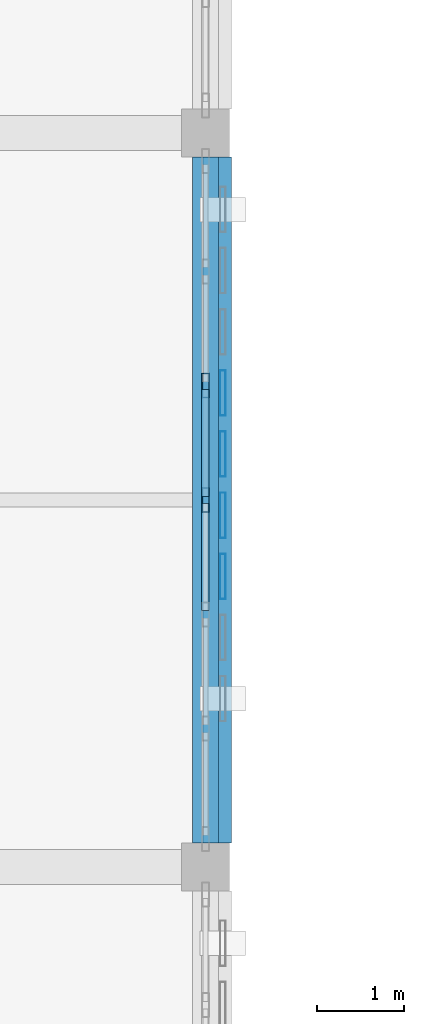
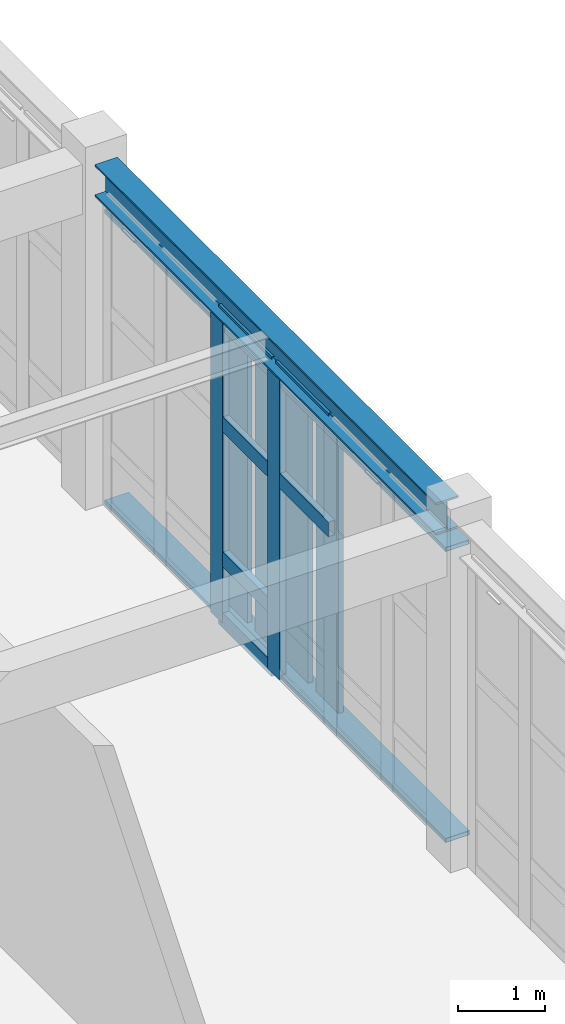
# One storey, part 23 of 93: 14 members, 1 beam, 1 element without a shape of its own.
"""IFC4 building model written with IfcOpenShell, lengths in metres."""

import ifcopenshell
import ifcopenshell.guid

model = None  # the IFC model being written
_history = None  # IfcOwnerHistory: only IFC2X3 demands one
_inside = {}  # id of a spatial element -> (the spatial element, [elements in it])
_under = {}  # id of a project, library or spatial element -> (it, [spatial elements below it])
_declared = {}  # id of a project -> (the project, [libraries it declares])
_typed = {}  # id of a type object -> (the type object, [elements of that type])
_made_of = {}  # id of a material, layer set ... -> (it, [elements and type objects made of it])


def new_model(schema):
    """Start an empty IFC model of exactly this schema.

    Asked for "IFC4X3", IfcOpenShell would pick the latest addendum, in which some entities
    have other attributes; the version numbers below select the first issue.
    IFC2X3 requires an IfcOwnerHistory on every rooted entity: one is made here for all.
    """
    global model, _history
    if schema == "IFC4X3":
        model = ifcopenshell.file(schema_version=(4, 3, 0, 0))
    else:
        model = ifcopenshell.file(schema=schema)
    _inside.clear()
    _under.clear()
    _declared.clear()
    _typed.clear()
    _made_of.clear()
    _history = None
    if model.schema == "IFC2X3":
        org = make("IfcOrganization", Name="unknown")
        user = make(
            "IfcPersonAndOrganization",
            ThePerson=make("IfcPerson", FamilyName="unknown"),
            TheOrganization=org,
        )
        app = make(
            "IfcApplication",
            ApplicationDeveloper=org,
            Version="unknown",
            ApplicationFullName="unknown",
            ApplicationIdentifier="unknown",
        )
        _history = make(
            "IfcOwnerHistory",
            OwningUser=user,
            OwningApplication=app,
            ChangeAction="ADDED",
            CreationDate=0,
        )
    return model


def make(cls, **values):
    """One entity of the class cls with the attributes given. An attribute that is None is left unset."""
    return model.create_entity(
        cls, **{name: value for name, value in values.items() if value is not None}
    )


def rooted(cls, **values):
    """An entity with a GlobalId (a new one), such as an element, a storey or a relation."""
    return make(cls, GlobalId=ifcopenshell.guid.new(), OwnerHistory=_history, **values)


def si_unit(unit_type, name, prefix=None):
    """IfcSIUnit, for example si_unit("LENGTHUNIT", "METRE", prefix="MILLI")."""
    return make("IfcSIUnit", UnitType=unit_type, Prefix=prefix, Name=name)


def assignment(units):
    """IfcUnitAssignment: the units of a project."""
    return None if units is None else make("IfcUnitAssignment", Units=units)


def point(xyz):
    """IfcCartesianPoint."""
    return None if xyz is None else make("IfcCartesianPoint", Coordinates=xyz)


def direction(xyz):
    """IfcDirection."""
    return None if xyz is None else make("IfcDirection", DirectionRatios=xyz)


def frame(location, z_axis=None, x_axis=None):
    """IfcAxis2Placement3D, a coordinate frame: its origin and axes. An axis left out is left unset."""
    return make(
        "IfcAxis2Placement3D",
        Location=point(location),
        Axis=direction(z_axis),
        RefDirection=direction(x_axis),
    )


def frame_2d(location, x_axis=None):
    """IfcAxis2Placement2D, a coordinate frame in the plane: its origin and x axis."""
    return make(
        "IfcAxis2Placement2D", Location=point(location), RefDirection=direction(x_axis)
    )


def origin():
    """The frame at (0, 0, 0) with its axes left unset."""
    return frame((0.0, 0.0, 0.0))


def origin_2d():
    """The frame at (0, 0) in the plane with its x axis left unset."""
    return frame_2d((0.0, 0.0))


def place(relative_to, where):
    """IfcLocalPlacement: puts the frame where relative to a parent placement (None: the world)."""
    return make(
        "IfcLocalPlacement", PlacementRelTo=relative_to, RelativePlacement=where
    )


def context(
    kind, dimensions, precision=None, world=None, true_north=None, identifier=None
):
    """IfcGeometricRepresentationContext, for example the 3D "Model" context."""
    return make(
        "IfcGeometricRepresentationContext",
        ContextIdentifier=identifier,
        ContextType=kind,
        CoordinateSpaceDimension=dimensions,
        Precision=precision,
        WorldCoordinateSystem=world,
        TrueNorth=true_north,
    )


def subcontext(parent, identifier, kind, view, scale=None):
    """IfcGeometricRepresentationSubContext, for example "Body" below "Model"."""
    return make(
        "IfcGeometricRepresentationSubContext",
        ContextIdentifier=identifier,
        ContextType=kind,
        ParentContext=parent,
        TargetScale=scale,
        TargetView=view,
    )


def project(units=None, contexts=None):
    """IfcProject with its units and contexts."""
    return rooted(
        "IfcProject",
        Name="project",
        RepresentationContexts=contexts,
        UnitsInContext=assignment(units),
    )


def spatial(cls, under=None, at=None, **own):
    """A site, building, storey or space (cls), placed at a placement, below another one or the project."""
    s = rooted(cls, ObjectPlacement=at, **own)
    if under is not None:
        _under.setdefault(under.id(), (under, []))[1].append(s)
    return s


def profile(cls, at=None, kind="AREA", **sizes):
    """A parametric profile (cls). Its sizes go by their IFC names, for example OverallWidth=200.0."""
    return make(cls, ProfileType=kind, Position=at, **sizes)


def hollow_rectangle(**sizes):
    """IfcRectangleHollowProfileDef."""
    return profile("IfcRectangleHollowProfileDef", **sizes)


def i_section(**sizes):
    """IfcIShapeProfileDef."""
    return profile("IfcIShapeProfileDef", **sizes)


def extrude(swept, where, along, depth):
    """IfcExtrudedAreaSolid: the profile swept, set in the frame where, extruded along a direction by depth."""
    return make(
        "IfcExtrudedAreaSolid",
        SweptArea=swept,
        Position=where,
        ExtrudedDirection=direction(along),
        Depth=depth,
    )


def shape(context_of_items, identifier, shape_type, items):
    """IfcShapeRepresentation: the items that make up one representation, for example the "Body"."""
    return make(
        "IfcShapeRepresentation",
        ContextOfItems=context_of_items,
        RepresentationIdentifier=identifier,
        RepresentationType=shape_type,
        Items=items,
    )


def material(Name=None, Category=None):
    """IfcMaterial."""
    return make("IfcMaterial", Name=Name, Category=Category)


def layer(
    of_material, thickness, ventilated=None, Name=None, Category=None, Priority=None
):
    """IfcMaterialLayer: one layer of a wall or slab, of a material (None: an air gap)."""
    return make(
        "IfcMaterialLayer",
        Material=of_material,
        LayerThickness=thickness,
        IsVentilated=ventilated,
        Name=Name,
        Category=Category,
        Priority=Priority,
    )


def layer_set(layers, Name=None):
    """IfcMaterialLayerSet."""
    return make("IfcMaterialLayerSet", MaterialLayers=layers, LayerSetName=Name)


def material_profile(
    of_material, cross_section, Name=None, Category=None, Priority=None
):
    """IfcMaterialProfile: a cross section and its material."""
    return make(
        "IfcMaterialProfile",
        Name=Name,
        Material=of_material,
        Profile=cross_section,
        Priority=Priority,
        Category=Category,
    )


def profile_set(profiles, Name=None, composite=None):
    """IfcMaterialProfileSet."""
    return make(
        "IfcMaterialProfileSet",
        Name=Name,
        MaterialProfiles=profiles,
        CompositeProfile=composite,
    )


def made_of(thing, what):
    """Note that an element or type object is made of a material, layer set ...; save() writes the relation."""
    if what is not None:
        _made_of.setdefault(what.id(), (what, []))[1].append(thing)
    return thing


def type_object(cls, material=None, **own):
    """A type object (cls), such as IfcWallType, which elements share."""
    return made_of(rooted(cls, **own), material)


def element(
    cls,
    number,
    at=None,
    inside=None,
    cuts=None,
    type_object=None,
    material=None,
    context=None,
    identifier="Body",
    shape_type=None,
    held_by="IfcProductDefinitionShape",
    body=None,
    shapes=None,
    **own,
):
    """One element of the class cls, such as IfcWall. Its Tag is "e" and its number.

    at: its placement. inside: the storey or other place that contains it. cuts: it is an
    opening in that element (IfcRelVoidsElement). A single representation is given by context,
    identifier, shape_type and body (its items); several are given by shapes. held_by: the class
    of the entity that holds the representations. save() writes the other relations.
    """
    e = rooted(cls, Tag="e%d" % number, ObjectPlacement=at, **own)
    if body is not None:
        shapes = [shape(context, identifier, shape_type, body)]
    if shapes is not None:
        e.Representation = make(held_by, Representations=shapes)
    if inside is not None:
        _inside.setdefault(inside.id(), (inside, []))[1].append(e)
    if cuts is not None:
        rooted(
            "IfcRelVoidsElement", RelatingBuildingElement=cuts, RelatedOpeningElement=e
        )
    if type_object is not None:
        _typed.setdefault(type_object.id(), (type_object, []))[1].append(e)
    return made_of(e, material)


def aggregate(whole, parts):
    """IfcRelAggregates: a whole, such as a stair, and the parts it consists of."""
    return rooted("IfcRelAggregates", RelatingObject=whole, RelatedObjects=parts)


def save(model, path):
    """Write the relations noted so far, then the file.

    IfcRelAggregates (storeys below a building ...), IfcRelContainedInSpatialStructure (elements
    in a storey), IfcRelDefinesByType, IfcRelAssociatesMaterial and IfcRelDeclares: one each for
    every whole, place, type object, material and project.
    """
    for whole, parts in _under.values():
        aggregate(whole, parts)
    for where, things in _inside.values():
        rooted(
            "IfcRelContainedInSpatialStructure",
            RelatedElements=things,
            RelatingStructure=where,
        )
    for kind, things in _typed.values():
        rooted("IfcRelDefinesByType", RelatedObjects=things, RelatingType=kind)
    for what, things in _made_of.values():
        rooted("IfcRelAssociatesMaterial", RelatedObjects=things, RelatingMaterial=what)
    for by, libraries in _declared.values():
        rooted("IfcRelDeclares", RelatingContext=by, RelatedDefinitions=libraries)
    model.write(path)


model = new_model("IFC4")

# Units and contexts
model_context = context("Model", 3, precision=1e-05, world=origin(), true_north=direction((0.0, 1.0)))
body_context = subcontext(model_context, "Body", "Model", "MODEL_VIEW")
ifc_project = project(units=[si_unit("LENGTHUNIT", "METRE"), si_unit("AREAUNIT", "SQUARE_METRE"), si_unit("VOLUMEUNIT", "CUBIC_METRE"), si_unit("PLANEANGLEUNIT", "RADIAN"), si_unit("MASSUNIT", "GRAM", prefix="KILO")], contexts=[model_context])

# Site, building, storey
site_placement = place(None, origin())
site = spatial("IfcSite", under=ifc_project, at=site_placement, CompositionType="ELEMENT")
building_placement = place(site_placement, origin())
building = spatial("IfcBuilding", under=site, at=building_placement, Name="Krzemoval Escarpment Law Courts", CompositionType="ELEMENT")
storey_placement = place(building_placement, frame((0.0, 0.0, 10.199951171875)))
storey = spatial("IfcBuildingStorey", under=building, at=storey_placement, Name="L02", CompositionType="ELEMENT", Elevation=10.199951171875)

# Curtain wall, members
ifc_material_1 = material(Name="Aluminium 6063-T6", Category="aluminium")
ifc_layer = layer(ifc_material_1, 0.280029296875)
ifc_layer_set = layer_set([ifc_layer], Name="Aluminium 6063-T6")
curtain_wall_type = type_object("IfcCurtainWallType", Name="CW-HALL-5100", PredefinedType="USERDEFINED", material=ifc_layer_set)
curtain_wall_placement = place(storey_placement, origin())
curtain_wall = element("IfcCurtainWall", 1, at=curtain_wall_placement, inside=storey, type_object=curtain_wall_type, Name="Unitised Curtain Wall FCW-L02-078", ObjectType="UNITISED_CURTAIN_WALL", PredefinedType="USERDEFINED")
ifc_material_2 = material(Name="Aluminium 6063-T6", Category="aluminium")
ifc_material_profile_1 = material_profile(ifc_material_2, hollow_rectangle(XDim=0.0849609375, YDim=0.280029296875, WallThickness=0.005615234375, at=origin_2d()), Name="ALU M85x280")
ifc_profile_set_1 = profile_set([ifc_material_profile_1], Name="Aluminium 6063-T6")
member_type_1 = type_object("IfcMemberType", Name="CWM-85x280", PredefinedType="MULLION", material=ifc_profile_set_1)
member_1_placement = place(storey_placement, frame((42.0, 63.1083984375, 0.0), z_axis=(0.0, 0.0, 1.0), x_axis=(1.0, 0.0, 0.0)))
member_1 = element("IfcMember", 2, at=member_1_placement, type_object=member_type_1, Name="FCW-L02-078 mullion 3", PredefinedType="MULLION", context=body_context, shape_type="SweptSolid", body=[
    extrude(hollow_rectangle(XDim=0.0849609375, YDim=0.280029296875, WallThickness=0.005615234375, at=origin_2d()), origin(), (0.0, 0.0, 1.0), 4.3701171875),
])
member_2_placement = place(storey_placement, frame((42.0, 61.800048828125, 0.0), z_axis=(0.0, 0.0, 1.0), x_axis=(1.0, 0.0, 0.0)))
member_2 = element("IfcMember", 3, at=member_2_placement, type_object=member_type_1, Name="FCW-L02-078 mullion 4", PredefinedType="MULLION", context=body_context, shape_type="SweptSolid", body=[
    extrude(hollow_rectangle(XDim=0.0849609375, YDim=0.280029296875, WallThickness=0.005615234375, at=origin_2d()), origin(), (0.0, 0.0, 1.0), 4.3701171875),
])
ifc_material_3 = material(Name="Aluminium 6063-T6", Category="aluminium")
ifc_material_profile_2 = material_profile(ifc_material_3, hollow_rectangle(XDim=0.0849609375, YDim=0.2099609375, WallThickness=0.005615234375, at=origin_2d()), Name="ALU T85x210")
ifc_profile_set_2 = profile_set([ifc_material_profile_2], Name="Aluminium 6063-T6")
member_type_2 = type_object("IfcMemberType", Name="CWT-85x210", PredefinedType="USERDEFINED", material=ifc_profile_set_2)
member_3_placement = place(storey_placement, frame((42.0, 63.06591796875, 0.04248046875), z_axis=(0.0, -1.0, 0.0), x_axis=(1.0, 0.0, 0.0)))
member_3 = element("IfcMember", 4, at=member_3_placement, type_object=member_type_2, Name="FCW-L02-078 transom 3.1", ObjectType="TRANSOM", PredefinedType="USERDEFINED", context=body_context, shape_type="SweptSolid", body=[
    extrude(hollow_rectangle(XDim=0.0849609375, YDim=0.2099609375, WallThickness=0.005615234375, at=origin_2d()), origin(), (0.0, 0.0, 1.0), 1.223388671875),
])
member_4_placement = place(storey_placement, frame((42.0, 63.06591796875, 0.900146484375), z_axis=(0.0, -1.0, 0.0), x_axis=(1.0, 0.0, 0.0)))
member_4 = element("IfcMember", 5, at=member_4_placement, type_object=member_type_2, Name="FCW-L02-078 transom 3.2", ObjectType="TRANSOM", PredefinedType="USERDEFINED", context=body_context, shape_type="SweptSolid", body=[
    extrude(hollow_rectangle(XDim=0.0849609375, YDim=0.2099609375, WallThickness=0.005615234375, at=origin_2d()), origin(), (0.0, 0.0, 1.0), 1.223388671875),
])
member_5_placement = place(storey_placement, frame((42.0, 63.06591796875, 2.800048828125), z_axis=(0.0, -1.0, 0.0), x_axis=(1.0, 0.0, 0.0)))
member_5 = element("IfcMember", 6, at=member_5_placement, type_object=member_type_2, Name="FCW-L02-078 transom 3.3", ObjectType="TRANSOM", PredefinedType="USERDEFINED", context=body_context, shape_type="SweptSolid", body=[
    extrude(hollow_rectangle(XDim=0.0849609375, YDim=0.2099609375, WallThickness=0.005615234375, at=origin_2d()), origin(), (0.0, 0.0, 1.0), 1.223388671875),
])
member_6_placement = place(storey_placement, frame((42.0, 63.06591796875, 4.32763671875), z_axis=(0.0, -1.0, 0.0), x_axis=(1.0, 0.0, 0.0)))
member_6 = element("IfcMember", 7, at=member_6_placement, type_object=member_type_2, Name="FCW-L02-078 transom 3.4", ObjectType="TRANSOM", PredefinedType="USERDEFINED", context=body_context, shape_type="SweptSolid", body=[
    extrude(hollow_rectangle(XDim=0.0849609375, YDim=0.2099609375, WallThickness=0.005615234375, at=origin_2d()), origin(), (0.0, 0.0, 1.0), 1.223388671875),
])
member_7_placement = place(storey_placement, frame((42.0, 61.757568359375, 2.800048828125), z_axis=(0.0, -1.0, 0.0), x_axis=(1.0, 0.0, 0.0)))
member_7 = element("IfcMember", 8, at=member_7_placement, type_object=member_type_2, Name="FCW-L02-078 transom 4.3", ObjectType="TRANSOM", PredefinedType="USERDEFINED", context=body_context, shape_type="SweptSolid", body=[
    extrude(hollow_rectangle(XDim=0.0849609375, YDim=0.2099609375, WallThickness=0.005615234375, at=origin_2d()), origin(), (0.0, 0.0, 1.0), 1.223388671875),
])
member_8_placement = place(storey_placement, frame((42.0, 61.757568359375, 4.32763671875), z_axis=(0.0, -1.0, 0.0), x_axis=(1.0, 0.0, 0.0)))
member_8 = element("IfcMember", 9, at=member_8_placement, type_object=member_type_2, Name="FCW-L02-078 transom 4.4", ObjectType="TRANSOM", PredefinedType="USERDEFINED", context=body_context, shape_type="SweptSolid", body=[
    extrude(hollow_rectangle(XDim=0.0849609375, YDim=0.2099609375, WallThickness=0.005615234375, at=origin_2d()), origin(), (0.0, 0.0, 1.0), 1.223388671875),
])
aggregate(curtain_wall, [member_1, member_2, member_3, member_4, member_5, member_6, member_7, member_8])

# Members
ifc_material_4 = material(Name="Anodised Aluminium Alloy 6063-T6", Category="aluminium")
ifc_material_profile_3 = material_profile(ifc_material_4, hollow_rectangle(XDim=0.06005859375, YDim=0.320068359375, WallThickness=0.00390625, at=origin_2d()), Name="ALU LVR 60x320")
ifc_profile_set_3 = profile_set([ifc_material_profile_3], Name="Anodised Aluminium Alloy 6063-T6")
member_type_3 = type_object("IfcMemberType", Name="LVR-ALU-320", PredefinedType="USERDEFINED", material=ifc_profile_set_3)
for number, where, z_axis, x_axis, name in (
    (10, (42.139892578125, 65.72509765625, 0.030029296875), (0.0, -1.0, 0.0), (0.0, 0.0, 1.0), "Sunshade Support Rail FSR-L02-0496"),
    (11, (42.139892578125, 65.72509765625, 4.1201171875), (0.0, -1.0, 0.0), (0.0, 0.0, 1.0), "Sunshade Support Rail FSR-L02-0497"),
):
    element("IfcMember", number, at=place(storey_placement, frame(where, z_axis=z_axis, x_axis=x_axis)), inside=storey, type_object=member_type_3, Name=name, ObjectType="SUNSHADE_LOUVRE", PredefinedType="USERDEFINED", context=body_context, shape_type="SweptSolid", body=[
        extrude(hollow_rectangle(XDim=0.06005859375, YDim=0.320068359375, WallThickness=0.00390625, at=origin_2d()), origin(), (0.0, 0.0, 1.0), 7.85009765625),
    ])
ifc_material_5 = material(Name="Anodised Aluminium Alloy 6063-T6", Category="aluminium")
ifc_material_profile_4 = material_profile(ifc_material_5, hollow_rectangle(XDim=0.06494140625, YDim=0.52001953125, WallThickness=0.00439453125, at=origin_2d()), Name="ALU LVR 65x520")
ifc_profile_set_4 = profile_set([ifc_material_profile_4], Name="Anodised Aluminium Alloy 6063-T6")
member_type_4 = type_object("IfcMemberType", Name="LVR-ALU-520", PredefinedType="USERDEFINED", material=ifc_profile_set_4)
for number, where, z_axis, x_axis, name in (
    (12, (42.199951171875, 63.02490234375, 0.06005859375), (0.0, 0.0, 1.0), (1.0, 0.0, 0.0), "Sunshade Louvre Fin FLV-L02-0501"),
    (13, (42.199951171875, 62.324951171875, 0.06005859375), (0.0, 0.0, 1.0), (1.0, 0.0, 0.0), "Sunshade Louvre Fin FLV-L02-0502"),
    (14, (42.199951171875, 61.625, 0.06005859375), (0.0, 0.0, 1.0), (1.0, 0.0, 0.0), "Sunshade Louvre Fin FLV-L02-0503"),
    (15, (42.199951171875, 60.925048828125, 0.06005859375), (0.0, 0.0, 1.0), (1.0, 0.0, 0.0), "Sunshade Louvre Fin FLV-L02-0504"),
):
    element("IfcMember", number, at=place(storey_placement, frame(where, z_axis=z_axis, x_axis=x_axis)), inside=storey, type_object=member_type_4, Name=name, ObjectType="SUNSHADE_LOUVRE", PredefinedType="USERDEFINED", context=body_context, shape_type="SweptSolid", body=[
        extrude(hollow_rectangle(XDim=0.06494140625, YDim=0.52001953125, WallThickness=0.00439453125, at=origin_2d()), origin(), (0.0, 0.0, 1.0), 4.31005859375),
    ])

# Beam
ifc_material_6 = material(Name="Steel S355", Category="steel")
ifc_material_profile_5 = material_profile(ifc_material_6, i_section(OverallWidth=0.300048828125, OverallDepth=0.449951171875, WebThickness=0.013916015625, FlangeThickness=0.02587890625, at=origin_2d()), Name="HEB 450")
ifc_profile_set_5 = profile_set([ifc_material_profile_5], Name="Steel S355")
beam_type = type_object("IfcBeamType", Name="SPN-S355-HEB450", PredefinedType="SPANDREL", material=ifc_profile_set_5)
beam_placement = place(storey_placement, frame((42.0, 57.875, 4.594970703125), z_axis=(0.0, 1.0, 0.0), x_axis=(-1.0, 0.0, 0.0)))
element("IfcBeam", 16, at=beam_placement, inside=storey, type_object=beam_type, Name="Beam FG-L02-1912", PredefinedType="SPANDREL", context=body_context, shape_type="SweptSolid", body=[
    extrude(i_section(OverallWidth=0.300048828125, OverallDepth=0.449951171875, WebThickness=0.013916015625, FlangeThickness=0.02587890625, at=origin_2d()), origin(), (0.0, 0.0, 1.0), 7.85009765625),
])

save(model, "model.ifc")
